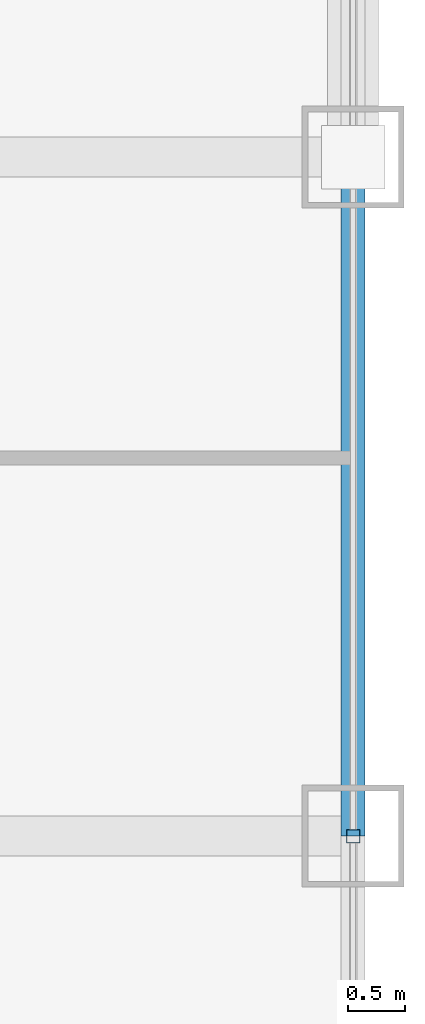
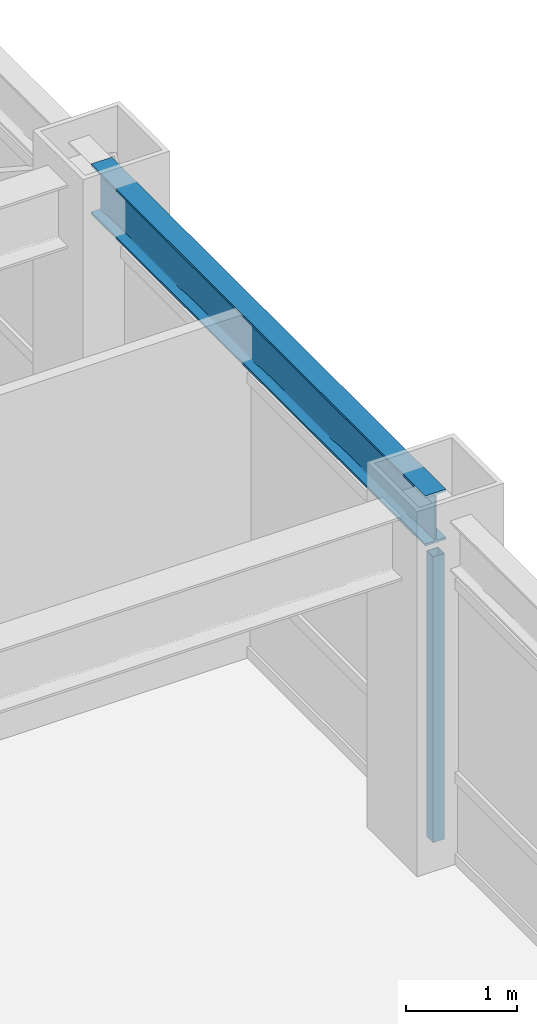
# One storey, part 10 of 22: 1 beam, 1 member, 1 element without a shape of its own.
"""IFC4 building model written with IfcOpenShell, lengths in metres."""

from ifc_helpers import new_model, si_unit, direction, frame, origin, origin_2d, place, context, subcontext, project, spatial, hollow_rectangle, i_section, extrude, source, transform, mapped, material, material_profile, profile_set, type_object, element, aggregate, save


model = new_model("IFC4")

# Units and contexts
model_context = context("Model", 3, precision=1e-05, world=origin(), true_north=direction((0.0, 1.0)))
body_context = subcontext(model_context, "Body", "Model", "MODEL_VIEW")
ifc_project = project(units=[si_unit("LENGTHUNIT", "METRE"), si_unit("AREAUNIT", "SQUARE_METRE"), si_unit("VOLUMEUNIT", "CUBIC_METRE"), si_unit("PLANEANGLEUNIT", "RADIAN"), si_unit("MASSUNIT", "GRAM", prefix="KILO")], contexts=[model_context])

# Site, building, storey
site_placement = place(None, origin())
site = spatial("IfcSite", under=ifc_project, at=site_placement, CompositionType="ELEMENT")
building_placement = place(site_placement, origin())
building = spatial("IfcBuilding", under=site, at=building_placement, Name="Khorayat Bourse Tower", CompositionType="ELEMENT")
storey_placement = place(building_placement, frame((0.0, 0.0, 301.5)))
storey = spatial("IfcBuildingStorey", under=building, at=storey_placement, Name="L71", CompositionType="ELEMENT", Elevation=301.5)

# Beam
ifc_material_1 = material(Name="Steel ASTM A992 Grade 50", Category="steel")
ifc_material_profile_1 = material_profile(ifc_material_1, i_section(OverallWidth=0.214111328125, OverallDepth=0.549072265625, WebThickness=0.0146484375, FlangeThickness=0.023681640625, FilletRadius=0.013916015625, at=origin_2d()), Name="W530X138")
ifc_profile_set_1 = profile_set([ifc_material_profile_1], Name="Steel ASTM A992 Grade 50")
beam_type = type_object("IfcBeamType", Name="BM-SPAN-530", PredefinedType="SPANDREL", material=ifc_profile_set_1)
shared_shape_1 = source(origin(), body_context, "Body", "SweptSolid", [
    extrude(i_section(OverallWidth=0.214111328125, OverallDepth=0.549072265625, WebThickness=0.0146484375, FlangeThickness=0.023681640625, FilletRadius=0.013916015625, at=origin_2d()), origin(), (0.0, 0.0, 1.0), 6.0),
])
beam_placement = place(storey_placement, frame((28.0, 0.0, 3.505615234375), z_axis=(0.0, 1.0, 0.0), x_axis=(-1.0, 0.0, 0.0)))
element("IfcBeam", 1, at=beam_placement, inside=storey, type_object=beam_type, Name="L71 BM-SPAN-530 BM-L71-SPN-038", PredefinedType="SPANDREL", context=body_context, shape_type="MappedRepresentation", body=[
    mapped(shared_shape_1, transform((0.0, 0.0, 0.0), scale=1.0)),
])

# Curtain wall, member
ifc_material_2 = material(Name="Aluminium EN AW-6063 T6", Category="aluminium")
curtain_wall_type = type_object("IfcCurtainWallType", Name="CW-SYS-04", PredefinedType="NOTDEFINED", material=ifc_material_2)
curtain_wall_placement = place(storey_placement, origin())
curtain_wall = element("IfcCurtainWall", 2, at=curtain_wall_placement, inside=storey, type_object=curtain_wall_type, Name="L71 Curtain Wall CW-L71-E1", PredefinedType="NOTDEFINED")
ifc_material_profile_2 = material_profile(ifc_material_2, hollow_rectangle(XDim=0.1201171875, YDim=0.1201171875, WallThickness=0.0048828125, at=origin_2d()), Name="ALU 120x120x5")
ifc_profile_set_2 = profile_set([ifc_material_profile_2], Name="Aluminium EN AW-6063 T6")
member_type = type_object("IfcMemberType", Name="CWM-VERT-120", PredefinedType="MULLION", material=ifc_profile_set_2)
shared_shape_2 = source(origin(), body_context, "Body", "SweptSolid", [
    extrude(hollow_rectangle(XDim=0.1201171875, YDim=0.1201171875, WallThickness=0.0048828125, at=origin_2d()), origin(), (0.0, 0.0, 1.0), 3.1298828125),
])
member_placement = place(storey_placement, frame((28.0, 0.0, 0.0), z_axis=(0.0, 0.0, 1.0), x_axis=(-1.0, 0.0, 0.0)))
member = element("IfcMember", 3, at=member_placement, type_object=member_type, Name="CW-L71-E1 Vertical Mullion 2", PredefinedType="MULLION", context=body_context, shape_type="MappedRepresentation", body=[
    mapped(shared_shape_2, transform((0.0, 0.0, 0.0), scale=1.0)),
])
aggregate(curtain_wall, [member])

save(model, "model.ifc")
